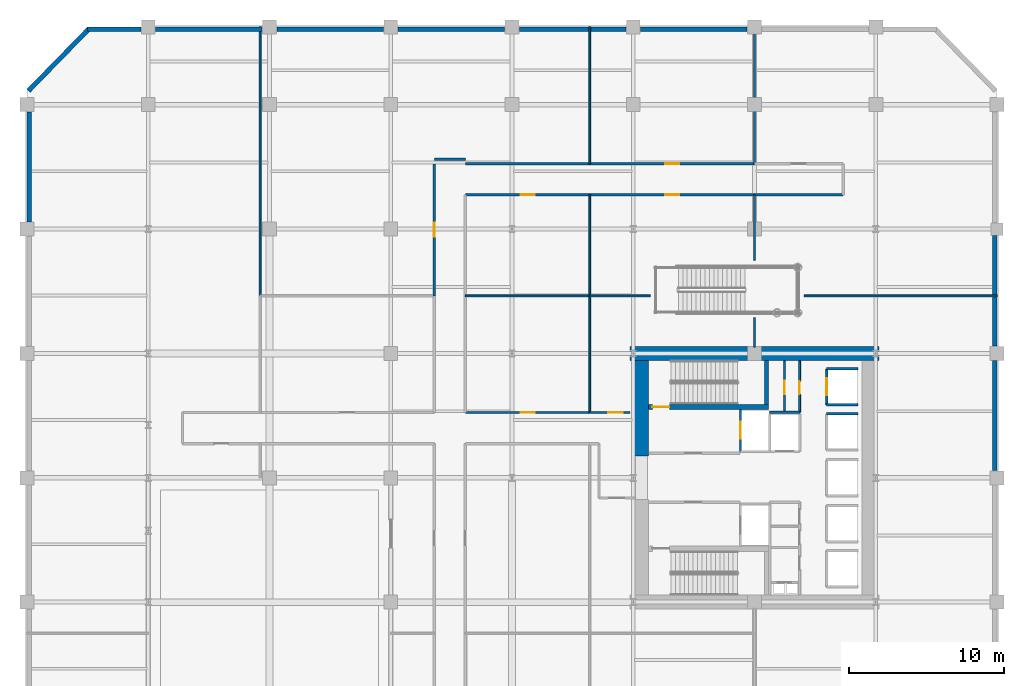
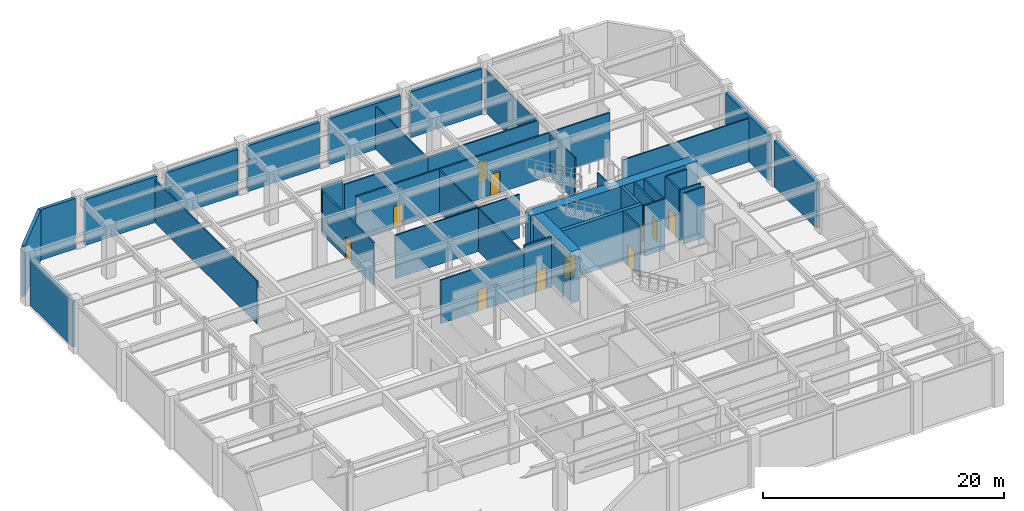
# One storey, part 9 of 11: 41 walls, 11 doors, 11 openings.
"""IFC4 building model written with IfcOpenShell, lengths in metres."""

from ifc_helpers import new_model, si_unit, direction, frame, frame_2d, origin, place, context, subcontext, project, spatial, rectangle, extrude, material, layer, layer_set, type_object, element, fill, save


model = new_model("IFC4")

# Units and contexts
model_context = context("Model", 3, precision=1e-05, world=origin(), true_north=direction((0.0, 1.0)))
body_context = subcontext(model_context, "Body", "Model", "MODEL_VIEW")
ifc_project = project(units=[si_unit("LENGTHUNIT", "METRE"), si_unit("AREAUNIT", "SQUARE_METRE"), si_unit("VOLUMEUNIT", "CUBIC_METRE"), si_unit("PLANEANGLEUNIT", "RADIAN"), si_unit("MASSUNIT", "GRAM", prefix="KILO")], contexts=[model_context])

# Site, building, storey
site_placement = place(None, origin())
site = spatial("IfcSite", under=ifc_project, at=site_placement, CompositionType="ELEMENT")
building_placement = place(site_placement, origin())
building = spatial("IfcBuilding", under=site, at=building_placement, Name="Veymaron Broadcast Tower", CompositionType="ELEMENT")
storey_placement = place(building_placement, frame((0.0, 0.0, 16.199951171875)))
storey = spatial("IfcBuildingStorey", under=building, at=storey_placement, Name="L03", CompositionType="ELEMENT", Elevation=16.199951171875)

# Walls
ifc_material_1 = material(Name="Precast concrete C40/50 with mineral-wool insulation", Category="concrete")
ifc_layer_1 = layer(ifc_material_1, 0.300048828125)
ifc_layer_set_1 = layer_set([ifc_layer_1], Name="Precast concrete C40/50 with mineral-wool insulation")
wall_type_1 = type_object("IfcWallType", Name="WALL-EXT-300", PredefinedType="STANDARD", material=ifc_layer_set_1)
wall_1_placement = place(storey_placement, frame((62.260009765625, 24.468017578125, 0.0), z_axis=(0.0, 0.0, 1.0), x_axis=(0.0, 1.0, 0.0)))
element("IfcWall", 1, at=wall_1_placement, inside=storey, type_object=wall_type_1, Name="L03 notched corner facade pier 2-5", PredefinedType="STANDARD", context=body_context, shape_type="SweptSolid", body=[
    extrude(rectangle(XDim=7.06396484375, YDim=0.300048828125, at=frame_2d((3.531982421875, 0.0))), origin(), (0.0, 0.0, 1.0), 4.64794921875),
])
wall_2_placement = place(storey_placement, frame((62.260009765625, 32.468017578125, 0.0), z_axis=(0.0, 0.0, 1.0), x_axis=(0.0, 1.0, 0.0)))
element("IfcWall", 2, at=wall_2_placement, inside=storey, type_object=wall_type_1, Name="L03 notched corner facade pier 2-6", PredefinedType="STANDARD", context=body_context, shape_type="SweptSolid", body=[
    extrude(rectangle(XDim=7.114013671875, YDim=0.300048828125, at=frame_2d((3.55712890625, 0.0))), origin(), (0.0, 0.0, 1.0), 4.64794921875),
])
for number, where, z_axis, x_axis, name in (
    (3, (46.33203125, 52.860107421875, 0.0), (0.0, 0.0, 1.0), (-1.0, 0.0, 0.0), "L03 notched corner facade pier 4-3"),
    (4, (38.531982421875, 52.860107421875, 0.0), (0.0, 0.0, 1.0), (-1.0, 0.0, 0.0), "L03 notched corner facade pier 4-4"),
    (5, (30.73193359375, 52.860107421875, 0.0), (0.0, 0.0, 1.0), (-1.0, 0.0, 0.0), "L03 notched corner facade pier 4-5"),
):
    element("IfcWall", number, at=place(storey_placement, frame(where, z_axis=z_axis, x_axis=x_axis)), inside=storey, type_object=wall_type_1, Name=name, PredefinedType="STANDARD", context=body_context, shape_type="SweptSolid", body=[
        extrude(rectangle(XDim=6.864013671875, YDim=0.300048828125, at=frame_2d((3.43212890625, 0.0))), origin(), (0.0, 0.0, 1.0), 4.64794921875),
    ])
wall_3_placement = place(storey_placement, frame((22.931884765625, 52.860107421875, 0.0), z_axis=(0.0, 0.0, 1.0), x_axis=(-1.0, 0.0, 0.0)))
element("IfcWall", 6, at=wall_3_placement, inside=storey, type_object=wall_type_1, Name="L03 notched corner facade pier 4-6", PredefinedType="STANDARD", context=body_context, shape_type="SweptSolid", body=[
    extrude(rectangle(XDim=6.86376953125, YDim=0.300048828125, at=frame_2d((3.431884765625, 0.0))), origin(), (0.0, 0.0, 1.0), 4.64794921875),
])
wall_4_placement = place(storey_placement, frame((15.132080078125, 52.860107421875, 0.0), z_axis=(0.0, 0.0, 1.0), x_axis=(-1.0, 0.0, 0.0)))
element("IfcWall", 7, at=wall_4_placement, inside=storey, type_object=wall_type_1, Name="L03 notched corner facade pier 4-7", PredefinedType="STANDARD", context=body_context, shape_type="SweptSolid", body=[
    extrude(rectangle(XDim=6.864013671875, YDim=0.300048828125, at=frame_2d((3.43212890625, 0.0))), origin(), (0.0, 0.0, 1.0), 4.64794921875),
])
wall_5_placement = place(storey_placement, frame((7.33203125, 52.860107421875, 0.0), z_axis=(0.0, 0.0, 1.0), x_axis=(-1.0, 0.0, 0.0)))
element("IfcWall", 8, at=wall_5_placement, inside=storey, type_object=wall_type_1, Name="L03 notched corner facade pier 4-8", PredefinedType="STANDARD", context=body_context, shape_type="SweptSolid", body=[
    extrude(rectangle(XDim=3.43212890625, YDim=0.300048828125, at=frame_2d((1.716064453125, 0.0))), origin(), (0.0, 0.0, 1.0), 5.1201171875),
])
wall_6_placement = place(storey_placement, frame((4.000244140625, 52.90234375, 0.0), z_axis=(0.0, 0.0, 1.0), x_axis=(-0.698113577969, -0.71598703358, 0.0)))
element("IfcWall", 9, at=wall_6_placement, inside=storey, type_object=wall_type_1, Name="L03 notched corner facade pier 5-1", PredefinedType="STANDARD", context=body_context, shape_type="SweptSolid", body=[
    extrude(rectangle(XDim=5.586669921875, YDim=0.300048828125, at=frame_2d((2.79345703125, 0.0))), origin(), (0.0, 0.0, 1.0), 5.1201171875),
])
wall_7_placement = place(storey_placement, frame((0.139892578125, 47.531982421875, 0.0), z_axis=(0.0, 0.0, 1.0), x_axis=(0.0, -1.0, 0.0)))
element("IfcWall", 10, at=wall_7_placement, inside=storey, type_object=wall_type_1, Name="L03 notched corner facade pier 6-1", PredefinedType="STANDARD", context=body_context, shape_type="SweptSolid", body=[
    extrude(rectangle(XDim=7.06396484375, YDim=0.300048828125, at=frame_2d((3.531982421875, 0.0))), origin(), (0.0, 0.0, 1.0), 4.64794921875),
])

# Wall, opening, door
ifc_material_2 = material(Name="Gypsum fireboard and steel stud framing", Category="steel")
ifc_layer_2 = layer(ifc_material_2, 0.14990234375)
ifc_layer_set_2 = layer_set([ifc_layer_2], Name="Gypsum fireboard and steel stud framing")
wall_type_2 = type_object("IfcWallType", Name="WALL-FIRE-150", PredefinedType="PARTITIONING", material=ifc_layer_set_2)
wall_8_placement = place(storey_placement, frame((45.89501953125, 25.68994140625, 0.0), z_axis=(0.0, 0.0, 1.0), x_axis=(0.0, 1.0, 0.0)))
wall_8 = element("IfcWall", 11, at=wall_8_placement, inside=storey, type_object=wall_type_2, Name="L03 partition IW-L03-SHW-FFL-1", PredefinedType="PARTITIONING", context=body_context, shape_type="SweptSolid", body=[
    extrude(rectangle(XDim=2.719970703125, YDim=0.14990234375, at=frame_2d((1.35986328125, 0.0))), origin(), (0.0, 0.0, 1.0), 5.1201171875),
])
opening_1_placement = place(wall_8_placement, frame((0.81005859375, 0.0, 0.0)))
opening_1 = element("IfcOpeningElement", 12, at=opening_1_placement, cuts=wall_8, Name="Opening LD", PredefinedType="OPENING", context=body_context, shape_type="SweptSolid", body=[
    extrude(rectangle(XDim=1.10009765625, YDim=2.14990234375, at=frame_2d((0.550048828125, 1.074951171875))), frame((0.0, 0.0849609375, 0.0), z_axis=(0.0, -1.0, 0.0), x_axis=(1.0, 0.0, 0.0)), (0.0, 0.0, 1.0), 0.169921875),
])
ifc_material_3 = material(Name="Brushed stainless steel AISI 304", Category="steel")
door_type_1 = type_object("IfcDoorType", Name="DOOR-LIFT-1100", OperationType="DOUBLE_DOOR_SLIDING", PredefinedType="DOOR", material=ifc_material_3)
door_1_placement = place(opening_1_placement, frame((1.10009765625, 0.0, 0.0), z_axis=(0.0, 0.0, 1.0), x_axis=(-1.0, 0.0, 0.0)))
door_1 = element("IfcDoor", 13, at=door_1_placement, inside=storey, type_object=door_type_1, Name="L03 door LD-L03-FFL-1", OperationType="DOUBLE_DOOR_SLIDING", OverallHeight=2.14990234375, OverallWidth=1.10009765625, PredefinedType="DOOR", context=body_context, shape_type="SweptSolid", body=[
    extrude(rectangle(XDim=1.10009765625, YDim=2.14990234375, at=frame_2d((0.550048828125, 1.074951171875))), frame((0.0, 0.02490234375, 0.0), z_axis=(0.0, -1.0, 0.0), x_axis=(1.0, 0.0, 0.0)), (0.0, 0.0, 1.0), 0.050048828125),
])
fill(opening_1, door_1)

wall_9_placement = place(storey_placement, frame((51.445068359375, 28.68994140625, 0.0), z_axis=(0.0, 0.0, 1.0), x_axis=(0.0, 1.0, 0.0)))
wall_9 = element("IfcWall", 14, at=wall_9_placement, inside=storey, type_object=wall_type_2, Name="L03 partition IW-L03-SHW-PL1", PredefinedType="PARTITIONING", context=body_context, shape_type="SweptSolid", body=[
    extrude(rectangle(XDim=2.320068359375, YDim=0.14990234375, at=frame_2d((1.16015625, 0.0))), origin(), (0.0, 0.0, 1.0), 5.1201171875),
])
opening_2_placement = place(wall_9_placement, frame((0.610107421875, 0.0, 0.0)))
opening_2 = element("IfcOpeningElement", 15, at=opening_2_placement, cuts=wall_9, Name="Opening LD", PredefinedType="OPENING", context=body_context, shape_type="SweptSolid", body=[
    extrude(rectangle(XDim=1.10009765625, YDim=2.14990234375, at=frame_2d((0.550048828125, 1.074951171875))), frame((0.0, 0.0849609375, 0.0), z_axis=(0.0, -1.0, 0.0), x_axis=(1.0, 0.0, 0.0)), (0.0, 0.0, 1.0), 0.169921875),
])
door_2_placement = place(opening_2_placement, frame((1.10009765625, 0.0, 0.0), z_axis=(0.0, 0.0, 1.0), x_axis=(-1.0, 0.0, 0.0)))
door_2 = element("IfcDoor", 16, at=door_2_placement, inside=storey, type_object=door_type_1, Name="L03 door LD-L03-PL1", OperationType="DOUBLE_DOOR_SLIDING", OverallHeight=2.14990234375, OverallWidth=1.10009765625, PredefinedType="DOOR", context=body_context, shape_type="SweptSolid", body=[
    extrude(rectangle(XDim=1.10009765625, YDim=2.14990234375, at=frame_2d((0.550048828125, 1.074951171875))), frame((0.0, 0.02490234375, 0.0), z_axis=(0.0, -1.0, 0.0), x_axis=(1.0, 0.0, 0.0)), (0.0, 0.0, 1.0), 0.050048828125),
])
fill(opening_2, door_2)

# Walls
for number, where, z_axis, x_axis, name in (
    (17, (51.445068359375, 28.68994140625, 0.0), (0.0, 0.0, 1.0), (1.0, 0.0, 0.0), "L03 partition IW-L03-SHS-PL1"),
    (18, (51.445068359375, 31.010009765625, 0.0), (0.0, 0.0, 1.0), (1.0, 0.0, 0.0), "L03 partition IW-L03-SHN-PL1"),
    (19, (51.445068359375, 28.110107421875, 0.0), (0.0, 0.0, 1.0), (1.0, 0.0, 0.0), "L03 partition IW-L03-SHN-PM1"),
):
    element("IfcWall", number, at=place(storey_placement, frame(where, z_axis=z_axis, x_axis=x_axis)), inside=storey, type_object=wall_type_2, Name=name, PredefinedType="PARTITIONING", context=body_context, shape_type="SweptSolid", body=[
        extrude(rectangle(XDim=2.014892578125, YDim=0.14990234375, at=frame_2d((1.00732421875, 0.0))), origin(), (0.0, 0.0, 1.0), 5.1201171875),
    ])
wall_10_placement = place(storey_placement, frame((47.760009765625, 28.219970703125, 0.0), z_axis=(0.0, 0.0, 1.0), x_axis=(1.0, 0.0, 0.0)))
element("IfcWall", 20, at=wall_10_placement, inside=storey, type_object=wall_type_2, Name="L03 partition IW-L03-NM-S", PredefinedType="PARTITIONING", context=body_context, shape_type="SweptSolid", body=[
    extrude(rectangle(XDim=1.9599609375, YDim=0.14990234375, at=frame_2d((0.97998046875, 0.0))), origin(), (0.0, 0.0, 1.0), 5.1201171875),
])

# Wall, opening, door
wall_11_placement = place(storey_placement, frame((28.199951171875, 28.199951171875, 0.0), z_axis=(0.0, 0.0, 1.0), x_axis=(1.0, 0.0, 0.0)))
wall_11 = element("IfcWall", 21, at=wall_11_placement, inside=storey, type_object=wall_type_2, Name="L03 partition IW-L03-P19", PredefinedType="PARTITIONING", context=body_context, shape_type="SweptSolid", body=[
    extrude(rectangle(XDim=8.0, YDim=0.14990234375, at=frame_2d((4.0, 0.0))), origin(), (0.0, 0.0, 1.0), 4.4150390625),
])
opening_3_placement = place(wall_11_placement, frame((3.550048828125, 0.0, 0.0)))
opening_3 = element("IfcOpeningElement", 22, at=opening_3_placement, cuts=wall_11, Name="Opening ID-RM2", PredefinedType="OPENING", context=body_context, shape_type="SweptSolid", body=[
    extrude(rectangle(XDim=0.89990234375, YDim=2.14990234375, at=frame_2d((0.449951171875, 1.074951171875))), frame((0.0, 0.0849609375, 0.0), z_axis=(0.0, -1.0, 0.0), x_axis=(1.0, 0.0, 0.0)), (0.0, 0.0, 1.0), 0.169921875),
])
ifc_material_4 = material(Name="Acoustic solid-core European oak veneer timber", Category="wood")
door_type_2 = type_object("IfcDoorType", Name="DOOR-INT-900", OperationType="NOTDEFINED", PredefinedType="DOOR", material=ifc_material_4)
door_3_placement = place(opening_3_placement, origin())
door_3 = element("IfcDoor", 23, at=door_3_placement, inside=storey, type_object=door_type_2, Name="L03 door DR-L03-P19", OperationType="SINGLE_SWING_RIGHT", OverallHeight=2.14990234375, OverallWidth=0.89990234375, PredefinedType="DOOR", context=body_context, shape_type="SweptSolid", body=[
    extrude(rectangle(XDim=0.89990234375, YDim=2.14990234375, at=frame_2d((0.449951171875, 1.074951171875))), frame((0.0, 0.02490234375, 0.0), z_axis=(0.0, -1.0, 0.0), x_axis=(1.0, 0.0, 0.0)), (0.0, 0.0, 1.0), 0.050048828125),
])
fill(opening_3, door_3)

wall_12_placement = place(storey_placement, frame((36.199951171875, 28.199951171875, 0.0), z_axis=(0.0, 0.0, 1.0), x_axis=(1.0, 0.0, 0.0)))
wall_12 = element("IfcWall", 24, at=wall_12_placement, inside=storey, type_object=wall_type_2, Name="L03 partition IW-L03-P21", PredefinedType="PARTITIONING", context=body_context, shape_type="SweptSolid", body=[
    extrude(rectangle(XDim=2.60009765625, YDim=0.14990234375, at=frame_2d((1.300048828125, 0.0))), origin(), (0.0, 0.0, 1.0), 5.1201171875),
])
opening_4_placement = place(wall_12_placement, frame((1.18505859375, 0.0, 0.0)))
opening_4 = element("IfcOpeningElement", 25, at=opening_4_placement, cuts=wall_12, Name="Opening ID-RM1", PredefinedType="OPENING", context=body_context, shape_type="SweptSolid", body=[
    extrude(rectangle(XDim=0.949951171875, YDim=2.14990234375, at=frame_2d((0.47509765625, 1.074951171875))), frame((0.0, 0.0849609375, 0.0), z_axis=(0.0, -1.0, 0.0), x_axis=(1.0, 0.0, 0.0)), (0.0, 0.0, 1.0), 0.169921875),
])
door_type_3 = type_object("IfcDoorType", Name="DOOR-INT-950", OperationType="NOTDEFINED", PredefinedType="DOOR", material=ifc_material_4)
door_4_placement = place(opening_4_placement, origin())
door_4 = element("IfcDoor", 26, at=door_4_placement, inside=storey, type_object=door_type_3, Name="L03 door DR-L03-P21", OperationType="SINGLE_SWING_RIGHT", OverallHeight=2.14990234375, OverallWidth=0.949951171875, PredefinedType="DOOR", context=body_context, shape_type="SweptSolid", body=[
    extrude(rectangle(XDim=0.949951171875, YDim=2.14990234375, at=frame_2d((0.47509765625, 1.074951171875))), frame((0.0, 0.02490234375, 0.0), z_axis=(0.0, -1.0, 0.0), x_axis=(1.0, 0.0, 0.0)), (0.0, 0.0, 1.0), 0.050048828125),
])
fill(opening_4, door_4)

wall_13_placement = place(storey_placement, frame((28.199951171875, 42.199951171875, 0.0), z_axis=(0.0, 0.0, 1.0), x_axis=(1.0, 0.0, 0.0)))
wall_13 = element("IfcWall", 27, at=wall_13_placement, inside=storey, type_object=wall_type_2, Name="L03 partition IW-L03-P25", PredefinedType="PARTITIONING", context=body_context, shape_type="SweptSolid", body=[
    extrude(rectangle(XDim=8.0, YDim=0.14990234375, at=frame_2d((4.0, 0.0))), origin(), (0.0, 0.0, 1.0), 4.4150390625),
])
opening_5_placement = place(wall_13_placement, frame((3.550048828125, 0.0, 0.0)))
opening_5 = element("IfcOpeningElement", 28, at=opening_5_placement, cuts=wall_13, Name="Opening ID-RM2", PredefinedType="OPENING", context=body_context, shape_type="SweptSolid", body=[
    extrude(rectangle(XDim=0.89990234375, YDim=2.14990234375, at=frame_2d((0.449951171875, 1.074951171875))), frame((0.0, 0.0849609375, 0.0), z_axis=(0.0, -1.0, 0.0), x_axis=(1.0, 0.0, 0.0)), (0.0, 0.0, 1.0), 0.169921875),
])
door_5_placement = place(opening_5_placement, frame((0.89990234375, 0.0, 0.0), z_axis=(0.0, 0.0, 1.0), x_axis=(-1.0, 0.0, 0.0)))
door_5 = element("IfcDoor", 29, at=door_5_placement, inside=storey, type_object=door_type_2, Name="L03 door DR-L03-P25", OperationType="SINGLE_SWING_RIGHT", OverallHeight=2.14990234375, OverallWidth=0.89990234375, PredefinedType="DOOR", context=body_context, shape_type="SweptSolid", body=[
    extrude(rectangle(XDim=0.89990234375, YDim=2.14990234375, at=frame_2d((0.449951171875, 1.074951171875))), frame((0.0, 0.02490234375, 0.0), z_axis=(0.0, -1.0, 0.0), x_axis=(1.0, 0.0, 0.0)), (0.0, 0.0, 1.0), 0.050048828125),
])
fill(opening_5, door_5)

wall_14_placement = place(storey_placement, frame((36.199951171875, 42.199951171875, 0.0), z_axis=(0.0, 0.0, 1.0), x_axis=(1.0, 0.0, 0.0)))
wall_14 = element("IfcWall", 30, at=wall_14_placement, inside=storey, type_object=wall_type_2, Name="L03 partition IW-L03-P27", PredefinedType="PARTITIONING", context=body_context, shape_type="SweptSolid", body=[
    extrude(rectangle(XDim=10.60009765625, YDim=0.14990234375, at=frame_2d((5.300048828125, 0.0))), origin(), (0.0, 0.0, 1.0), 4.4150390625),
])
opening_6_placement = place(wall_14_placement, frame((4.85009765625, 0.0, 0.0)))
opening_6 = element("IfcOpeningElement", 31, at=opening_6_placement, cuts=wall_14, Name="Opening ID-RM2", PredefinedType="OPENING", context=body_context, shape_type="SweptSolid", body=[
    extrude(rectangle(XDim=0.89990234375, YDim=2.14990234375, at=frame_2d((0.449951171875, 1.074951171875))), frame((0.0, 0.0849609375, 0.0), z_axis=(0.0, -1.0, 0.0), x_axis=(1.0, 0.0, 0.0)), (0.0, 0.0, 1.0), 0.169921875),
])
door_6_placement = place(opening_6_placement, frame((0.89990234375, 0.0, 0.0), z_axis=(0.0, 0.0, 1.0), x_axis=(-1.0, 0.0, 0.0)))
door_6 = element("IfcDoor", 32, at=door_6_placement, inside=storey, type_object=door_type_2, Name="L03 door DR-L03-P27", OperationType="SINGLE_SWING_RIGHT", OverallHeight=2.14990234375, OverallWidth=0.89990234375, PredefinedType="DOOR", context=body_context, shape_type="SweptSolid", body=[
    extrude(rectangle(XDim=0.89990234375, YDim=2.14990234375, at=frame_2d((0.449951171875, 1.074951171875))), frame((0.0, 0.02490234375, 0.0), z_axis=(0.0, -1.0, 0.0), x_axis=(1.0, 0.0, 0.0)), (0.0, 0.0, 1.0), 0.050048828125),
])
fill(opening_6, door_6)

wall_15_placement = place(storey_placement, frame((26.199951171875, 35.699951171875, 0.0), z_axis=(0.0, 0.0, 1.0), x_axis=(0.0, 1.0, 0.0)))
wall_15 = element("IfcWall", 33, at=wall_15_placement, inside=storey, type_object=wall_type_2, Name="L03 partition IW-L03-P31", PredefinedType="PARTITIONING", context=body_context, shape_type="SweptSolid", body=[
    extrude(rectangle(XDim=8.5, YDim=0.14990234375, at=frame_2d((4.25, 0.0))), origin(), (0.0, 0.0, 1.0), 4.338134765625),
])
opening_7_placement = place(wall_15_placement, frame((3.800048828125, 0.0, 0.0)))
opening_7 = element("IfcOpeningElement", 34, at=opening_7_placement, cuts=wall_15, Name="Opening ID-RM2", PredefinedType="OPENING", context=body_context, shape_type="SweptSolid", body=[
    extrude(rectangle(XDim=0.89990234375, YDim=2.14990234375, at=frame_2d((0.449951171875, 1.074951171875))), frame((0.0, 0.0849609375, 0.0), z_axis=(0.0, -1.0, 0.0), x_axis=(1.0, 0.0, 0.0)), (0.0, 0.0, 1.0), 0.169921875),
])
door_7_placement = place(opening_7_placement, origin())
door_7 = element("IfcDoor", 35, at=door_7_placement, inside=storey, type_object=door_type_2, Name="L03 door DR-L03-P31", OperationType="SINGLE_SWING_RIGHT", OverallHeight=2.14990234375, OverallWidth=0.89990234375, PredefinedType="DOOR", context=body_context, shape_type="SweptSolid", body=[
    extrude(rectangle(XDim=0.89990234375, YDim=2.14990234375, at=frame_2d((0.449951171875, 1.074951171875))), frame((0.0, 0.02490234375, 0.0), z_axis=(0.0, -1.0, 0.0), x_axis=(1.0, 0.0, 0.0)), (0.0, 0.0, 1.0), 0.050048828125),
])
fill(opening_7, door_7)

wall_16_placement = place(storey_placement, frame((36.199951171875, 44.199951171875, 0.0), z_axis=(0.0, 0.0, 1.0), x_axis=(1.0, 0.0, 0.0)))
wall_16 = element("IfcWall", 36, at=wall_16_placement, inside=storey, type_object=wall_type_2, Name="L03 partition IW-L03-P34", PredefinedType="PARTITIONING", context=body_context, shape_type="SweptSolid", body=[
    extrude(rectangle(XDim=10.60009765625, YDim=0.14990234375, at=frame_2d((5.300048828125, 0.0))), origin(), (0.0, 0.0, 1.0), 4.4150390625),
])
opening_8_placement = place(wall_16_placement, frame((4.85009765625, 0.0, 0.0)))
opening_8 = element("IfcOpeningElement", 37, at=opening_8_placement, cuts=wall_16, Name="Opening ID-RM2", PredefinedType="OPENING", context=body_context, shape_type="SweptSolid", body=[
    extrude(rectangle(XDim=0.89990234375, YDim=2.14990234375, at=frame_2d((0.449951171875, 1.074951171875))), frame((0.0, 0.0849609375, 0.0), z_axis=(0.0, -1.0, 0.0), x_axis=(1.0, 0.0, 0.0)), (0.0, 0.0, 1.0), 0.169921875),
])
door_8_placement = place(opening_8_placement, origin())
door_8 = element("IfcDoor", 38, at=door_8_placement, inside=storey, type_object=door_type_2, Name="L03 door DR-L03-P34", OperationType="SINGLE_SWING_LEFT", OverallHeight=2.14990234375, OverallWidth=0.89990234375, PredefinedType="DOOR", context=body_context, shape_type="SweptSolid", body=[
    extrude(rectangle(XDim=0.89990234375, YDim=2.14990234375, at=frame_2d((0.449951171875, 1.074951171875))), frame((0.0, 0.02490234375, 0.0), z_axis=(0.0, -1.0, 0.0), x_axis=(1.0, 0.0, 0.0)), (0.0, 0.0, 1.0), 0.050048828125),
])
fill(opening_8, door_8)

# Walls
wall_17_placement = place(storey_placement, frame((46.800048828125, 42.199951171875, 0.0), z_axis=(0.0, 0.0, 1.0), x_axis=(1.0, 0.0, 0.0)))
element("IfcWall", 39, at=wall_17_placement, inside=storey, type_object=wall_type_2, Name="L03 partition IW-L03-P29", PredefinedType="PARTITIONING", context=body_context, shape_type="SweptSolid", body=[
    extrude(rectangle(XDim=5.699951171875, YDim=0.14990234375, at=frame_2d((2.85009765625, 0.0))), origin(), (0.0, 0.0, 1.0), 4.4150390625),
])
wall_18_placement = place(storey_placement, frame((28.199951171875, 44.199951171875, 0.0), z_axis=(0.0, 0.0, 1.0), x_axis=(1.0, 0.0, 0.0)))
element("IfcWall", 40, at=wall_18_placement, inside=storey, type_object=wall_type_2, Name="L03 partition IW-L03-P32", PredefinedType="PARTITIONING", context=body_context, shape_type="SweptSolid", body=[
    extrude(rectangle(XDim=8.0, YDim=0.14990234375, at=frame_2d((4.0, 0.0))), origin(), (0.0, 0.0, 1.0), 4.4150390625),
])
wall_19_placement = place(storey_placement, frame((26.199951171875, 44.5, 0.0), z_axis=(0.0, 0.0, 1.0), x_axis=(1.0, 0.0, 0.0)))
element("IfcWall", 41, at=wall_19_placement, inside=storey, type_object=wall_type_2, Name="L03 partition IW-L03-P33", PredefinedType="PARTITIONING", context=body_context, shape_type="SweptSolid", body=[
    extrude(rectangle(XDim=2.0, YDim=0.14990234375, at=frame_2d((1.0, 0.0))), origin(), (0.0, 0.0, 1.0), 4.700927734375),
])

# Wall, opening, door
ifc_material_5 = material(Name="Acoustic gypsum board and galvanized stud", Category="gypsum")
ifc_layer_3 = layer(ifc_material_5, 0.1201171875)
ifc_layer_set_3 = layer_set([ifc_layer_3], Name="Acoustic gypsum board and galvanized stud")
wall_type_3 = type_object("IfcWallType", Name="WALL-PART-120", PredefinedType="PARTITIONING", material=ifc_layer_set_3)
wall_20_placement = place(storey_placement, frame((48.72998046875, 28.239990234375, 0.0), z_axis=(0.0, 0.0, 1.0), x_axis=(0.0, 1.0, 0.0)))
wall_20 = element("IfcWall", 42, at=wall_20_placement, inside=storey, type_object=wall_type_3, Name="L03 partition IW-L03-NM-VX", PredefinedType="PARTITIONING", context=body_context, shape_type="SweptSolid", body=[
    extrude(rectangle(XDim=3.280029296875, YDim=0.1201171875, at=frame_2d((1.64013671875, 0.0))), origin(), (0.0, 0.0, 1.0), 5.1201171875),
])
opening_9_placement = place(wall_20_placement, frame((1.14990234375, 0.0, 0.0)))
opening_9 = element("IfcOpeningElement", 43, at=opening_9_placement, cuts=wall_20, Name="Opening ID-WC1", PredefinedType="OPENING", context=body_context, shape_type="SweptSolid", body=[
    extrude(rectangle(XDim=0.85009765625, YDim=2.14990234375, at=frame_2d((0.425048828125, 1.074951171875))), frame((0.0, 0.070068359375, 0.0), z_axis=(0.0, -1.0, 0.0), x_axis=(1.0, 0.0, 0.0)), (0.0, 0.0, 1.0), 0.14013671875),
])
ifc_material_6 = material(Name="Moisture-resistant high-pressure laminate timber", Category="wood")
door_type_4 = type_object("IfcDoorType", Name="DOOR-INT-850", OperationType="NOTDEFINED", PredefinedType="DOOR", material=ifc_material_6)
door_9_placement = place(opening_9_placement, frame((0.85009765625, 0.0, 0.0), z_axis=(0.0, 0.0, 1.0), x_axis=(-1.0, 0.0, 0.0)))
door_9 = element("IfcDoor", 44, at=door_9_placement, inside=storey, type_object=door_type_4, Name="L03 door DR-L03-NMB", OperationType="SINGLE_SWING_LEFT", OverallHeight=2.14990234375, OverallWidth=0.85009765625, PredefinedType="DOOR", context=body_context, shape_type="SweptSolid", body=[
    extrude(rectangle(XDim=0.85009765625, YDim=2.14990234375, at=frame_2d((0.425048828125, 1.074951171875))), frame((0.0, 0.02490234375, 0.0), z_axis=(0.0, -1.0, 0.0), x_axis=(1.0, 0.0, 0.0)), (0.0, 0.0, 1.0), 0.050048828125),
])
fill(opening_9, door_9)

wall_21_placement = place(storey_placement, frame((49.699951171875, 28.219970703125, 0.0), z_axis=(0.0, 0.0, 1.0), x_axis=(0.0, 1.0, 0.0)))
wall_21 = element("IfcWall", 45, at=wall_21_placement, inside=storey, type_object=wall_type_3, Name="L03 partition IW-L03-NM-E", PredefinedType="PARTITIONING", context=body_context, shape_type="SweptSolid", body=[
    extrude(rectangle(XDim=3.300048828125, YDim=0.1201171875, at=frame_2d((1.64990234375, 0.0))), origin(), (0.0, 0.0, 1.0), 5.1201171875),
])
opening_10_placement = place(wall_21_placement, frame((1.14990234375, 0.0, 0.0)))
opening_10 = element("IfcOpeningElement", 46, at=opening_10_placement, cuts=wall_21, Name="Opening ID-WC1", PredefinedType="OPENING", context=body_context, shape_type="SweptSolid", body=[
    extrude(rectangle(XDim=0.85009765625, YDim=2.14990234375, at=frame_2d((0.425048828125, 1.074951171875))), frame((0.0, 0.070068359375, 0.0), z_axis=(0.0, -1.0, 0.0), x_axis=(1.0, 0.0, 0.0)), (0.0, 0.0, 1.0), 0.14013671875),
])
door_10_placement = place(opening_10_placement, frame((0.85009765625, 0.0, 0.0), z_axis=(0.0, 0.0, 1.0), x_axis=(-1.0, 0.0, 0.0)))
door_10 = element("IfcDoor", 47, at=door_10_placement, inside=storey, type_object=door_type_4, Name="L03 door DR-L03-NMA", OperationType="SINGLE_SWING_RIGHT", OverallHeight=2.14990234375, OverallWidth=0.85009765625, PredefinedType="DOOR", context=body_context, shape_type="SweptSolid", body=[
    extrude(rectangle(XDim=0.85009765625, YDim=2.14990234375, at=frame_2d((0.425048828125, 1.074951171875))), frame((0.0, 0.02490234375, 0.0), z_axis=(0.0, -1.0, 0.0), x_axis=(1.0, 0.0, 0.0)), (0.0, 0.0, 1.0), 0.050048828125),
])
fill(opening_10, door_10)

# Walls
wall_22_placement = place(storey_placement, frame((46.800048828125, 32.39990234375, 0.0), z_axis=(0.0, 0.0, 1.0), x_axis=(0.0, 1.0, 0.0)))
element("IfcWall", 48, at=wall_22_placement, inside=storey, type_object=wall_type_3, Name="L03 partition IW-L03-P44", PredefinedType="PARTITIONING", context=body_context, shape_type="SweptSolid", body=[
    extrude(rectangle(XDim=1.900146484375, YDim=0.1201171875, at=frame_2d((0.9501953125, 0.0))), origin(), (0.0, 0.0, 1.0), 5.1201171875),
])
wall_23_placement = place(storey_placement, frame((50.0, 35.699951171875, 0.0), z_axis=(0.0, 0.0, 1.0), x_axis=(1.0, 0.0, 0.0)))
element("IfcWall", 49, at=wall_23_placement, inside=storey, type_object=wall_type_3, Name="L03 partition IW-L03-P45", PredefinedType="PARTITIONING", context=body_context, shape_type="SweptSolid", body=[
    extrude(rectangle(XDim=12.39990234375, YDim=0.1201171875, at=frame_2d((6.199951171875, 0.0))), origin(), (0.0, 0.0, 1.0), 4.4150390625),
])
wall_24_placement = place(storey_placement, frame((36.199951171875, 28.199951171875, 0.0), z_axis=(0.0, 0.0, 1.0), x_axis=(0.0, 1.0, 0.0)))
element("IfcWall", 50, at=wall_24_placement, inside=storey, type_object=wall_type_3, Name="L03 partition IW-L03-P50", PredefinedType="PARTITIONING", context=body_context, shape_type="SweptSolid", body=[
    extrude(rectangle(XDim=7.5, YDim=0.1201171875, at=frame_2d((3.75, 0.0))), origin(), (0.0, 0.0, 1.0), 4.338134765625),
])
wall_25_placement = place(storey_placement, frame((28.199951171875, 35.699951171875, 0.0), z_axis=(0.0, 0.0, 1.0), x_axis=(1.0, 0.0, 0.0)))
element("IfcWall", 51, at=wall_25_placement, inside=storey, type_object=wall_type_3, Name="L03 partition IW-L03-P51", PredefinedType="PARTITIONING", context=body_context, shape_type="SweptSolid", body=[
    extrude(rectangle(XDim=8.0, YDim=0.1201171875, at=frame_2d((4.0, 0.0))), origin(), (0.0, 0.0, 1.0), 4.4150390625),
])
wall_26_placement = place(storey_placement, frame((36.199951171875, 35.699951171875, 0.0), z_axis=(0.0, 0.0, 1.0), x_axis=(1.0, 0.0, 0.0)))
element("IfcWall", 52, at=wall_26_placement, inside=storey, type_object=wall_type_3, Name="L03 partition IW-L03-P52", PredefinedType="PARTITIONING", context=body_context, shape_type="SweptSolid", body=[
    extrude(rectangle(XDim=3.900146484375, YDim=0.1201171875, at=frame_2d((1.9501953125, 0.0))), origin(), (0.0, 0.0, 1.0), 4.4150390625),
])
wall_27_placement = place(storey_placement, frame((15.0, 35.699951171875, 0.0), z_axis=(0.0, 0.0, 1.0), x_axis=(0.0, 1.0, 0.0)))
element("IfcWall", 53, at=wall_27_placement, inside=storey, type_object=wall_type_3, Name="L03 partition IW-L03-P53", PredefinedType="PARTITIONING", context=body_context, shape_type="SweptSolid", body=[
    extrude(rectangle(XDim=17.300048828125, YDim=0.1201171875, at=frame_2d((8.64990234375, 0.0))), origin(), (0.0, 0.0, 1.0), 4.338134765625),
])
wall_28_placement = place(storey_placement, frame((36.199951171875, 35.699951171875, 0.0), z_axis=(0.0, 0.0, 1.0), x_axis=(0.0, 1.0, 0.0)))
element("IfcWall", 54, at=wall_28_placement, inside=storey, type_object=wall_type_3, Name="L03 partition IW-L03-P54", PredefinedType="PARTITIONING", context=body_context, shape_type="SweptSolid", body=[
    extrude(rectangle(XDim=6.5, YDim=0.1201171875, at=frame_2d((3.25, 0.0))), origin(), (0.0, 0.0, 1.0), 4.338134765625),
])
wall_29_placement = place(storey_placement, frame((46.800048828125, 38.0, 0.0), z_axis=(0.0, 0.0, 1.0), x_axis=(0.0, 1.0, 0.0)))
element("IfcWall", 55, at=wall_29_placement, inside=storey, type_object=wall_type_3, Name="L03 partition IW-L03-P55", PredefinedType="PARTITIONING", context=body_context, shape_type="SweptSolid", body=[
    extrude(rectangle(XDim=4.199951171875, YDim=0.1201171875, at=frame_2d((2.10009765625, 0.0))), origin(), (0.0, 0.0, 1.0), 4.338134765625),
])
for number, where, z_axis, x_axis, name in (
    (56, (46.800048828125, 44.199951171875, 0.0), (0.0, 0.0, 1.0), (0.0, 1.0, 0.0), "L03 partition IW-L03-P56"),
    (57, (36.199951171875, 44.199951171875, 0.0), (0.0, 0.0, 1.0), (0.0, 1.0, 0.0), "L03 partition IW-L03-P57"),
):
    element("IfcWall", number, at=place(storey_placement, frame(where, z_axis=z_axis, x_axis=x_axis)), inside=storey, type_object=wall_type_3, Name=name, PredefinedType="PARTITIONING", context=body_context, shape_type="SweptSolid", body=[
        extrude(rectangle(XDim=8.800048828125, YDim=0.1201171875, at=frame_2d((4.39990234375, 0.0))), origin(), (0.0, 0.0, 1.0), 4.338134765625),
    ])
ifc_material_7 = material(Name="Concrete C50/60", Category="concrete")
ifc_layer_4 = layer(ifc_material_7, 0.25)
ifc_layer_set_4 = layer_set([ifc_layer_4], Name="Concrete C50/60")
wall_type_4 = type_object("IfcWallType", Name="WALL-SHEAR-250", PredefinedType="SHEAR", material=ifc_layer_set_4)
wall_30_placement = place(storey_placement, frame((47.56494140625, 28.72998046875, 0.0), z_axis=(0.0, 0.0, 1.0), x_axis=(0.0, 1.0, 0.0)))
element("IfcWall", 58, at=wall_30_placement, inside=storey, type_object=wall_type_4, Name="L03 Core Wall north stair east shear", PredefinedType="SHEAR", context=body_context, shape_type="SweptSolid", body=[
    extrude(rectangle(XDim=2.820068359375, YDim=0.25, at=frame_2d((1.41015625, 0.0))), origin(), (0.0, 0.0, 1.0), 5.1201171875),
])

# Wall, opening, door
ifc_layer_5 = layer(ifc_material_7, 0.35009765625)
ifc_layer_set_5 = layer_set([ifc_layer_5], Name="Concrete C50/60")
wall_type_5 = type_object("IfcWallType", Name="WALL-SHEAR-350", PredefinedType="SHEAR", material=ifc_layer_set_5)
wall_31_placement = place(storey_placement, frame((39.97998046875, 28.554931640625, 0.0), z_axis=(0.0, 0.0, 1.0), x_axis=(1.0, 0.0, 0.0)))
wall_31 = element("IfcWall", 59, at=wall_31_placement, inside=storey, type_object=wall_type_5, Name="L03 Core Wall north stair spine", PredefinedType="SHEAR", context=body_context, shape_type="SweptSolid", body=[
    extrude(rectangle(XDim=7.7099609375, YDim=0.35009765625, at=frame_2d((3.85498046875, 0.0))), origin(), (0.0, 0.0, 1.0), 5.1201171875),
])
opening_11_placement = place(wall_31_placement, frame((0.25, 0.0, 0.0)))
opening_11 = element("IfcOpeningElement", 60, at=opening_11_placement, cuts=wall_31, Name="Opening ID-ST1", PredefinedType="OPENING", context=body_context, shape_type="SweptSolid", body=[
    extrude(rectangle(XDim=1.10009765625, YDim=2.14990234375, at=frame_2d((0.550048828125, 1.074951171875))), frame((0.0, 0.18505859375, 0.0), z_axis=(0.0, -1.0, 0.0), x_axis=(1.0, 0.0, 0.0)), (0.0, 0.0, 1.0), 0.3701171875),
])
ifc_material_8 = material(Name="Fire-rated painted hollow steel ASTM A653", Category="steel")
door_type_5 = type_object("IfcDoorType", Name="DOOR-STAIR-1100", OperationType="NOTDEFINED", PredefinedType="DOOR", material=ifc_material_8)
door_11_placement = place(opening_11_placement, origin())
door_11 = element("IfcDoor", 61, at=door_11_placement, inside=storey, type_object=door_type_5, Name="L03 exit stair ST1 fire door", OperationType="SINGLE_SWING_RIGHT", OverallHeight=2.14990234375, OverallWidth=1.10009765625, PredefinedType="DOOR", context=body_context, shape_type="SweptSolid", body=[
    extrude(rectangle(XDim=1.10009765625, YDim=2.14990234375, at=frame_2d((0.550048828125, 1.074951171875))), frame((0.0, 0.02490234375, 0.0), z_axis=(0.0, -1.0, 0.0), x_axis=(1.0, 0.0, 0.0)), (0.0, 0.0, 1.0), 0.050048828125),
])
fill(opening_11, door_11)

# Walls
ifc_material_9 = material(Name="Concrete C70/85", Category="concrete")
ifc_layer_6 = layer(ifc_material_9, 0.89990234375)
ifc_layer_set_6 = layer_set([ifc_layer_6], Name="Concrete C70/85")
wall_type_6 = type_object("IfcWallType", Name="WALL-SHEAR-900", PredefinedType="SHEAR", material=ifc_layer_set_6)
wall_32_placement = place(storey_placement, frame((38.800048828125, 32.0, 0.0), z_axis=(0.0, 0.0, 1.0), x_axis=(1.0, 0.0, 0.0)))
element("IfcWall", 62, at=wall_32_placement, inside=storey, type_object=wall_type_6, Name="L03 Core Wall north shear", PredefinedType="SHEAR", context=body_context, shape_type="SweptSolid", body=[
    extrude(rectangle(XDim=16.0, YDim=0.89990234375, at=frame_2d((8.0, 0.0))), origin(), (0.0, 0.0, 1.0), 5.1201171875),
])
wall_33_placement = place(storey_placement, frame((39.530029296875, 25.39990234375, 0.0), z_axis=(0.0, 0.0, 1.0), x_axis=(0.0, 1.0, 0.0)))
element("IfcWall", 63, at=wall_33_placement, inside=storey, type_object=wall_type_6, Name="L03 Core Wall west-north shear", PredefinedType="SHEAR", context=body_context, shape_type="SweptSolid", body=[
    extrude(rectangle(XDim=6.150146484375, YDim=0.89990234375, at=frame_2d((3.0751953125, 0.0))), origin(), (0.0, 0.0, 1.0), 5.1201171875),
])

save(model, "model.ifc")
